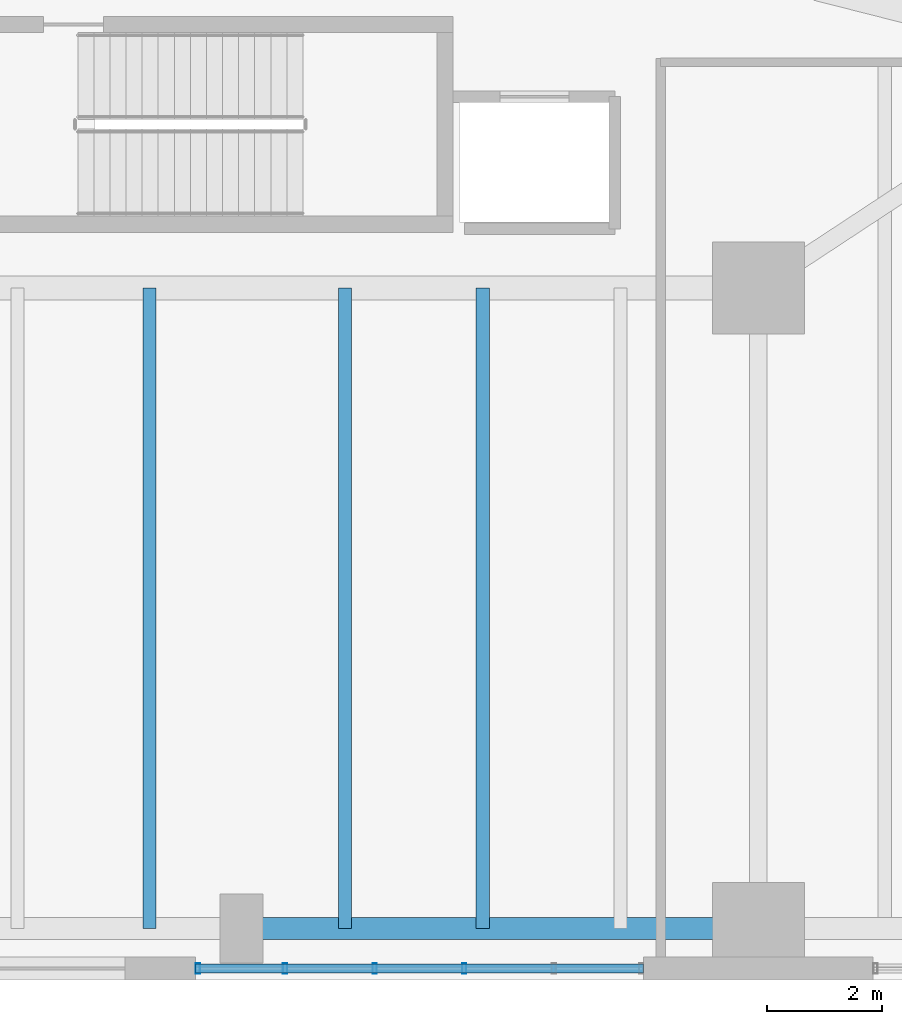
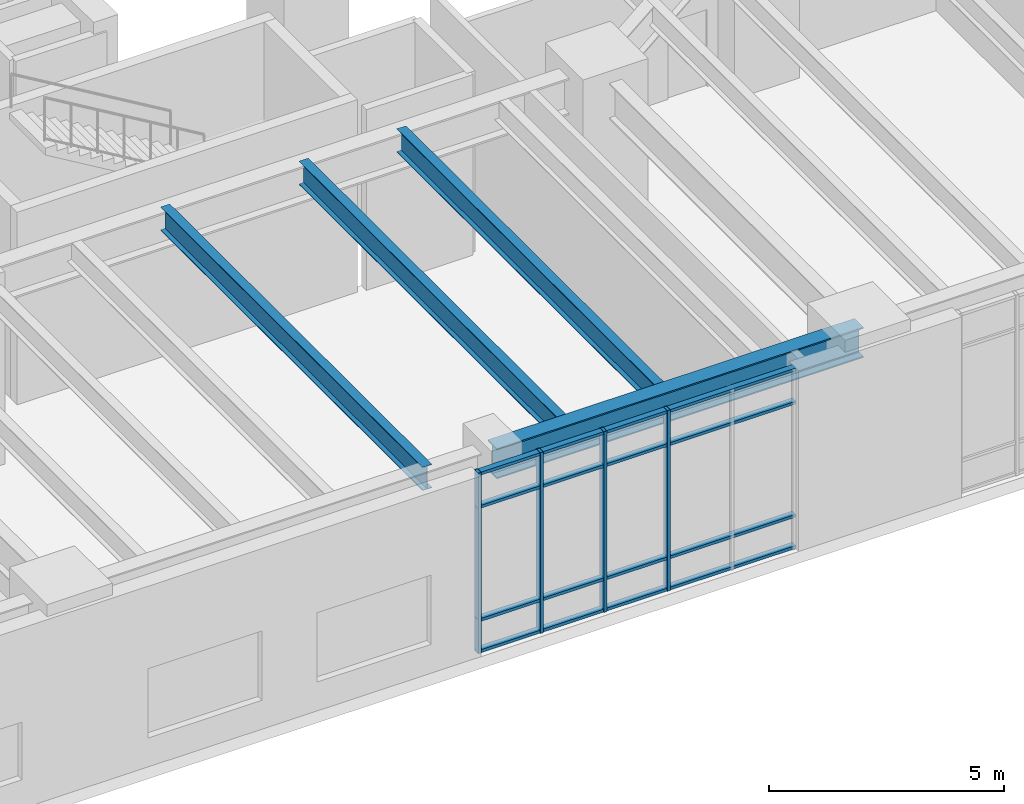
# One storey, part 2 of 26: 8 members, 4 beams, 1 element without a shape of its own.
"""IFC4 building model written with IfcOpenShell, lengths in metres."""

from ifc_helpers import new_model, si_unit, direction, frame, origin, origin_2d, place, context, subcontext, project, spatial, hollow_rectangle, i_section, extrude, material, layer, layer_set, material_profile, profile_set, type_object, element, aggregate, save


model = new_model("IFC4")

# Units and contexts
model_context = context("Model", 3, precision=1e-05, world=origin(), true_north=direction((0.0, 1.0)))
body_context = subcontext(model_context, "Body", "Model", "MODEL_VIEW")
ifc_project = project(units=[si_unit("LENGTHUNIT", "METRE"), si_unit("AREAUNIT", "SQUARE_METRE"), si_unit("VOLUMEUNIT", "CUBIC_METRE"), si_unit("PLANEANGLEUNIT", "RADIAN"), si_unit("MASSUNIT", "GRAM", prefix="KILO"), si_unit("THERMODYNAMICTEMPERATUREUNIT", "KELVIN"), si_unit("POWERUNIT", "WATT")], contexts=[model_context])

# Site, building, storey
site_placement = place(None, origin())
site = spatial("IfcSite", under=ifc_project, at=site_placement, CompositionType="ELEMENT")
building_placement = place(site_placement, origin())
building = spatial("IfcBuilding", under=site, at=building_placement, Name="Skarre Station Tower", CompositionType="ELEMENT")
storey_placement = place(building_placement, frame((0.0, 0.0, 6.0)))
storey = spatial("IfcBuildingStorey", under=building, at=storey_placement, Name="L02", CompositionType="ELEMENT", Elevation=6.0)

# Curtain wall, members
ifc_material_1 = material(Name="Thermally Broken Bronze-Anodized Aluminium & Triple Low-E Glass", Category="aluminium")
ifc_layer = layer(ifc_material_1, 0.199951171875, Name="Thermally Broken Bronze-Anodized Aluminium & Triple Low-E Glass")
ifc_layer_set = layer_set([ifc_layer], Name="Thermally Broken Bronze-Anodized Aluminium & Triple Low-E Glass")
curtain_wall_type = type_object("IfcCurtainWallType", Name="Podium Transit Arcade Stick Curtain Wall", PredefinedType="NOTDEFINED", material=ifc_layer_set)
curtain_wall_placement = place(storey_placement, origin())
curtain_wall = element("IfcCurtainWall", 1, at=curtain_wall_placement, inside=storey, type_object=curtain_wall_type, Name="L02 South Concourse Portal West Curtain Wall", PredefinedType="NOTDEFINED")
ifc_material_2 = material(Name="Anodized Aluminium 6063-T6", Category="aluminium")
ifc_material_profile_1 = material_profile(ifc_material_2, hollow_rectangle(XDim=0.074951171875, YDim=0.14990234375, WallThickness=0.00390625, at=origin_2d()), Name="Anodized Aluminium 6063-T6")
ifc_profile_set_1 = profile_set([ifc_material_profile_1], Name="Anodized Aluminium 6063-T6")
member_type_1 = type_object("IfcMemberType", Name="Curtain-Wall Secondary Transom 150x75", PredefinedType="USERDEFINED", material=ifc_profile_set_1)
member_1_placement = place(storey_placement, frame((34.0, 0.199951171875, 0.0400390625), z_axis=(-1.0, 0.0, 0.0), x_axis=(0.0, 0.0, 1.0)))
member_1 = element("IfcMember", 2, at=member_1_placement, type_object=member_type_1, Name="L02 South Concourse Portal West Curtain Wall Transom 1", ObjectType="TRANSOM", PredefinedType="USERDEFINED", context=body_context, shape_type="SweptSolid", body=[
    extrude(hollow_rectangle(XDim=0.074951171875, YDim=0.14990234375, WallThickness=0.00390625, at=origin_2d()), origin(), (0.0, 0.0, 1.0), 7.800048828125),
])
member_2_placement = place(storey_placement, frame((34.0, 0.199951171875, 0.85009765625), z_axis=(-1.0, 0.0, 0.0), x_axis=(0.0, 0.0, 1.0)))
member_2 = element("IfcMember", 3, at=member_2_placement, type_object=member_type_1, Name="L02 South Concourse Portal West Curtain Wall Transom 2", ObjectType="TRANSOM", PredefinedType="USERDEFINED", context=body_context, shape_type="SweptSolid", body=[
    extrude(hollow_rectangle(XDim=0.074951171875, YDim=0.14990234375, WallThickness=0.00390625, at=origin_2d()), origin(), (0.0, 0.0, 1.0), 7.800048828125),
])
member_3_placement = place(storey_placement, frame((34.0, 0.199951171875, 3.7900390625), z_axis=(-1.0, 0.0, 0.0), x_axis=(0.0, 0.0, 1.0)))
member_3 = element("IfcMember", 4, at=member_3_placement, type_object=member_type_1, Name="L02 South Concourse Portal West Curtain Wall Transom 3", ObjectType="TRANSOM", PredefinedType="USERDEFINED", context=body_context, shape_type="SweptSolid", body=[
    extrude(hollow_rectangle(XDim=0.074951171875, YDim=0.14990234375, WallThickness=0.00390625, at=origin_2d()), origin(), (0.0, 0.0, 1.0), 7.800048828125),
])
member_4_placement = place(storey_placement, frame((34.0, 0.199951171875, 4.64990234375), z_axis=(-1.0, 0.0, 0.0), x_axis=(0.0, 0.0, 1.0)))
member_4 = element("IfcMember", 5, at=member_4_placement, type_object=member_type_1, Name="L02 South Concourse Portal West Curtain Wall Transom 4", ObjectType="TRANSOM", PredefinedType="USERDEFINED", context=body_context, shape_type="SweptSolid", body=[
    extrude(hollow_rectangle(XDim=0.074951171875, YDim=0.14990234375, WallThickness=0.00390625, at=origin_2d()), origin(), (0.0, 0.0, 1.0), 7.800048828125),
])
ifc_material_profile_2 = material_profile(ifc_material_2, hollow_rectangle(XDim=0.074951171875, YDim=0.179931640625, WallThickness=0.00390625, at=origin_2d()), Name="Anodized Aluminium 6063-T6")
ifc_profile_set_2 = profile_set([ifc_material_profile_2], Name="Anodized Aluminium 6063-T6")
member_type_2 = type_object("IfcMemberType", Name="Curtain-Wall Unitised Tower Mullion 180x75", PredefinedType="MULLION", material=ifc_profile_set_2)
member_5_placement = place(storey_placement, frame((30.8798828125, 0.199951171875, 0.0), z_axis=(0.0, 0.0, 1.0), x_axis=(-1.0, 0.0, 0.0)))
member_5 = element("IfcMember", 6, at=member_5_placement, type_object=member_type_2, Name="L02 South Concourse Portal West Curtain Wall Mullion 3", PredefinedType="MULLION", context=body_context, shape_type="SweptSolid", body=[
    extrude(hollow_rectangle(XDim=0.074951171875, YDim=0.179931640625, WallThickness=0.00390625, at=origin_2d()), origin(), (0.0, 0.0, 1.0), 4.68994140625),
])
member_6_placement = place(storey_placement, frame((29.320068359375, 0.199951171875, 0.0), z_axis=(0.0, 0.0, 1.0), x_axis=(-1.0, 0.0, 0.0)))
member_6 = element("IfcMember", 7, at=member_6_placement, type_object=member_type_2, Name="L02 South Concourse Portal West Curtain Wall Mullion 4", PredefinedType="MULLION", context=body_context, shape_type="SweptSolid", body=[
    extrude(hollow_rectangle(XDim=0.074951171875, YDim=0.179931640625, WallThickness=0.00390625, at=origin_2d()), origin(), (0.0, 0.0, 1.0), 4.68994140625),
])
member_7_placement = place(storey_placement, frame((27.760009765625, 0.199951171875, 0.0), z_axis=(0.0, 0.0, 1.0), x_axis=(-1.0, 0.0, 0.0)))
member_7 = element("IfcMember", 8, at=member_7_placement, type_object=member_type_2, Name="L02 South Concourse Portal West Curtain Wall Mullion 5", PredefinedType="MULLION", context=body_context, shape_type="SweptSolid", body=[
    extrude(hollow_rectangle(XDim=0.074951171875, YDim=0.179931640625, WallThickness=0.00390625, at=origin_2d()), origin(), (0.0, 0.0, 1.0), 4.68994140625),
])
member_8_placement = place(storey_placement, frame((26.239990234375, 0.199951171875, 0.0), z_axis=(0.0, 0.0, 1.0), x_axis=(-1.0, 0.0, 0.0)))
member_8 = element("IfcMember", 9, at=member_8_placement, type_object=member_type_2, Name="L02 South Concourse Portal West Curtain Wall Mullion 6", PredefinedType="MULLION", context=body_context, shape_type="SweptSolid", body=[
    extrude(hollow_rectangle(XDim=0.074951171875, YDim=0.179931640625, WallThickness=0.00390625, at=origin_2d()), origin(), (0.0, 0.0, 1.0), 4.68994140625),
])
aggregate(curtain_wall, [member_5, member_6, member_7, member_8, member_1, member_2, member_3, member_4])

# Beams
ifc_material_3 = material(Name="Steel ASTM A992 Grade 50", Category="steel")
ifc_material_profile_3 = material_profile(ifc_material_3, i_section(OverallWidth=0.22802734375, OverallDepth=0.60791015625, WebThickness=0.010986328125, FlangeThickness=0.01708984375, at=origin_2d()), Name="Steel ASTM A992 Grade 50")
ifc_profile_set_3 = profile_set([ifc_material_profile_3], Name="Steel ASTM A992 Grade 50")
beam_type_1 = type_object("IfcBeamType", Name="Steel Joist W24X76", PredefinedType="JOIST", material=ifc_profile_set_3)
for number, where, z_axis, x_axis, name in (
    (10, (25.39990234375, 0.89990234375, 4.385986328125), (0.0, 1.0, 0.0), (-1.0, 0.0, 0.0), "L02 South Bay Joist 10"),
    (11, (28.800048828125, 0.89990234375, 4.385986328125), (0.0, 1.0, 0.0), (-1.0, 0.0, 0.0), "L02 South Bay Joist 11"),
    (12, (31.199951171875, 0.89990234375, 4.385986328125), (0.0, 1.0, 0.0), (-1.0, 0.0, 0.0), "L02 South Bay Joist 12"),
):
    element("IfcBeam", number, at=place(storey_placement, frame(where, z_axis=z_axis, x_axis=x_axis)), inside=storey, type_object=beam_type_1, Name=name, PredefinedType="JOIST", context=body_context, shape_type="SweptSolid", body=[
        extrude(i_section(OverallWidth=0.22802734375, OverallDepth=0.60791015625, WebThickness=0.010986328125, FlangeThickness=0.01708984375, at=origin_2d()), origin(), (0.0, 0.0, 1.0), 11.150146484375),
    ])
ifc_material_profile_4 = material_profile(ifc_material_3, i_section(OverallWidth=0.384033203125, OverallDepth=0.785888671875, WebThickness=0.02001953125, FlangeThickness=0.032958984375, at=origin_2d()), Name="Steel ASTM A992 Grade 50")
ifc_profile_set_4 = profile_set([ifc_material_profile_4], Name="Steel ASTM A992 Grade 50")
beam_type_2 = type_object("IfcBeamType", Name="Steel Spandrel W30X211", PredefinedType="SPANDREL", material=ifc_profile_set_4)
beam_placement = place(storey_placement, frame((27.0, 0.89990234375, 4.297119140625), z_axis=(1.0, 0.0, 0.0), x_axis=(0.0, 1.0, 0.0)))
element("IfcBeam", 13, at=beam_placement, inside=storey, type_object=beam_type_2, Name="L02 South Podium Spandrel 4", PredefinedType="SPANDREL", context=body_context, shape_type="SweptSolid", body=[
    extrude(i_section(OverallWidth=0.384033203125, OverallDepth=0.785888671875, WebThickness=0.02001953125, FlangeThickness=0.032958984375, at=origin_2d()), origin(), (0.0, 0.0, 1.0), 9.0),
])

save(model, "model.ifc")
